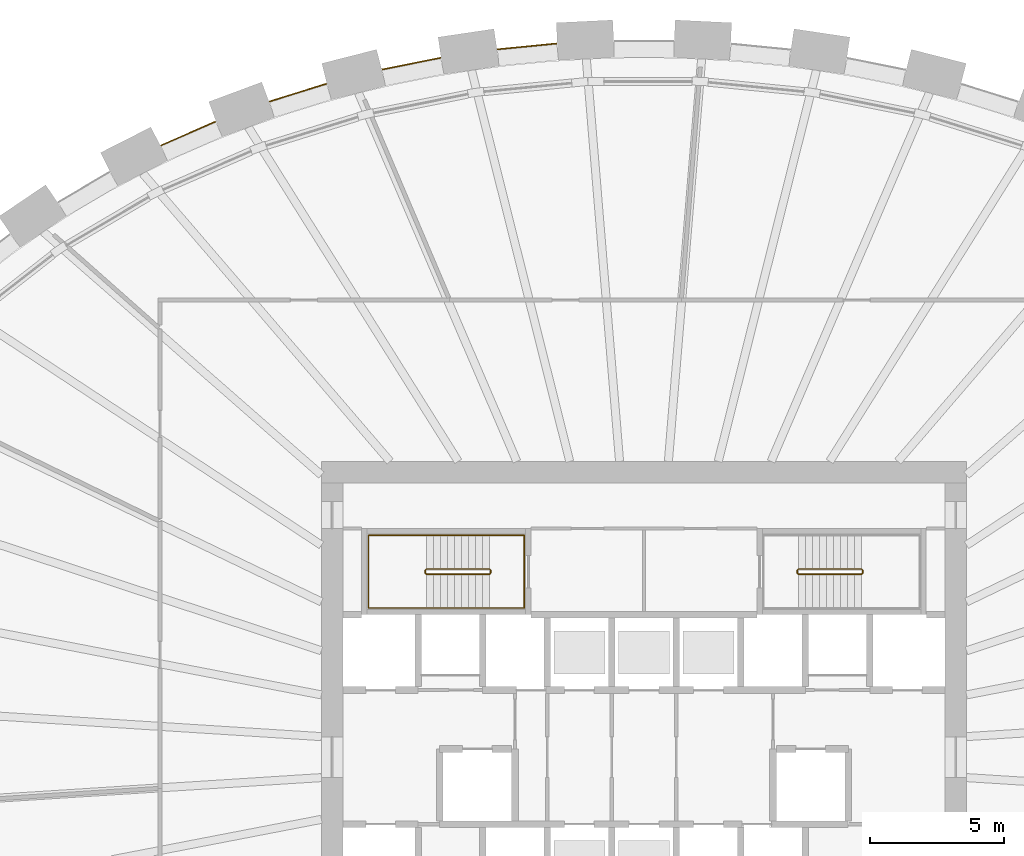
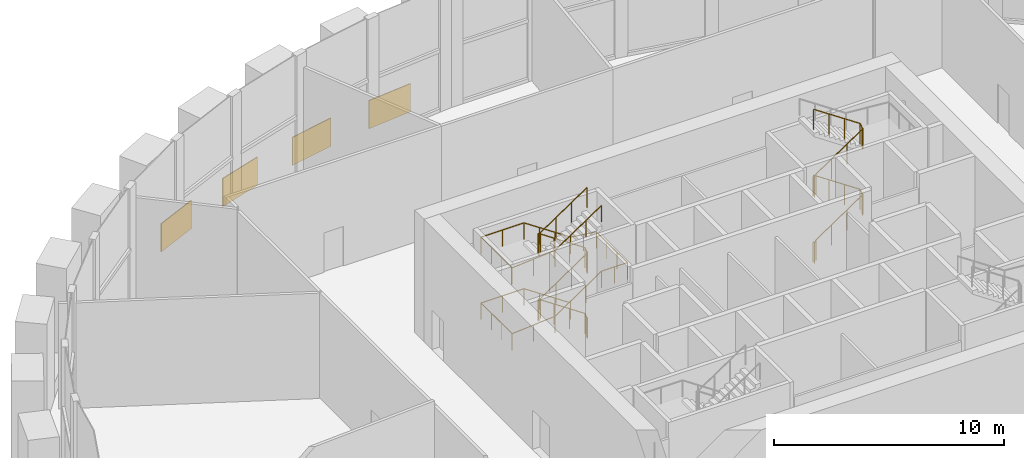
# One storey, part 14 of 16: 4 coverings, 3 railings.
"""IFC4 building model written with IfcOpenShell, lengths in metres."""

import ifcopenshell
import ifcopenshell.guid

model = None  # the IFC model being written
_history = None  # IfcOwnerHistory: only IFC2X3 demands one
_inside = {}  # id of a spatial element -> (the spatial element, [elements in it])
_under = {}  # id of a project, library or spatial element -> (it, [spatial elements below it])
_declared = {}  # id of a project -> (the project, [libraries it declares])
_typed = {}  # id of a type object -> (the type object, [elements of that type])
_made_of = {}  # id of a material, layer set ... -> (it, [elements and type objects made of it])


def new_model(schema):
    """Start an empty IFC model of exactly this schema.

    Asked for "IFC4X3", IfcOpenShell would pick the latest addendum, in which some entities
    have other attributes; the version numbers below select the first issue.
    IFC2X3 requires an IfcOwnerHistory on every rooted entity: one is made here for all.
    """
    global model, _history
    if schema == "IFC4X3":
        model = ifcopenshell.file(schema_version=(4, 3, 0, 0))
    else:
        model = ifcopenshell.file(schema=schema)
    _inside.clear()
    _under.clear()
    _declared.clear()
    _typed.clear()
    _made_of.clear()
    _history = None
    if model.schema == "IFC2X3":
        org = make("IfcOrganization", Name="unknown")
        user = make(
            "IfcPersonAndOrganization",
            ThePerson=make("IfcPerson", FamilyName="unknown"),
            TheOrganization=org,
        )
        app = make(
            "IfcApplication",
            ApplicationDeveloper=org,
            Version="unknown",
            ApplicationFullName="unknown",
            ApplicationIdentifier="unknown",
        )
        _history = make(
            "IfcOwnerHistory",
            OwningUser=user,
            OwningApplication=app,
            ChangeAction="ADDED",
            CreationDate=0,
        )
    return model


def make(cls, **values):
    """One entity of the class cls with the attributes given. An attribute that is None is left unset."""
    return model.create_entity(
        cls, **{name: value for name, value in values.items() if value is not None}
    )


def rooted(cls, **values):
    """An entity with a GlobalId (a new one), such as an element, a storey or a relation."""
    return make(cls, GlobalId=ifcopenshell.guid.new(), OwnerHistory=_history, **values)


def si_unit(unit_type, name, prefix=None):
    """IfcSIUnit, for example si_unit("LENGTHUNIT", "METRE", prefix="MILLI")."""
    return make("IfcSIUnit", UnitType=unit_type, Prefix=prefix, Name=name)


def assignment(units):
    """IfcUnitAssignment: the units of a project."""
    return None if units is None else make("IfcUnitAssignment", Units=units)


def point(xyz):
    """IfcCartesianPoint."""
    return None if xyz is None else make("IfcCartesianPoint", Coordinates=xyz)


def direction(xyz):
    """IfcDirection."""
    return None if xyz is None else make("IfcDirection", DirectionRatios=xyz)


def frame(location, z_axis=None, x_axis=None):
    """IfcAxis2Placement3D, a coordinate frame: its origin and axes. An axis left out is left unset."""
    return make(
        "IfcAxis2Placement3D",
        Location=point(location),
        Axis=direction(z_axis),
        RefDirection=direction(x_axis),
    )


def frame_2d(location, x_axis=None):
    """IfcAxis2Placement2D, a coordinate frame in the plane: its origin and x axis."""
    return make(
        "IfcAxis2Placement2D", Location=point(location), RefDirection=direction(x_axis)
    )


def origin():
    """The frame at (0, 0, 0) with its axes left unset."""
    return frame((0.0, 0.0, 0.0))


def origin_2d():
    """The frame at (0, 0) in the plane with its x axis left unset."""
    return frame_2d((0.0, 0.0))


def place(relative_to, where):
    """IfcLocalPlacement: puts the frame where relative to a parent placement (None: the world)."""
    return make(
        "IfcLocalPlacement", PlacementRelTo=relative_to, RelativePlacement=where
    )


def context(
    kind, dimensions, precision=None, world=None, true_north=None, identifier=None
):
    """IfcGeometricRepresentationContext, for example the 3D "Model" context."""
    return make(
        "IfcGeometricRepresentationContext",
        ContextIdentifier=identifier,
        ContextType=kind,
        CoordinateSpaceDimension=dimensions,
        Precision=precision,
        WorldCoordinateSystem=world,
        TrueNorth=true_north,
    )


def subcontext(parent, identifier, kind, view, scale=None):
    """IfcGeometricRepresentationSubContext, for example "Body" below "Model"."""
    return make(
        "IfcGeometricRepresentationSubContext",
        ContextIdentifier=identifier,
        ContextType=kind,
        ParentContext=parent,
        TargetScale=scale,
        TargetView=view,
    )


def project(units=None, contexts=None):
    """IfcProject with its units and contexts."""
    return rooted(
        "IfcProject",
        Name="project",
        RepresentationContexts=contexts,
        UnitsInContext=assignment(units),
    )


def spatial(cls, under=None, at=None, **own):
    """A site, building, storey or space (cls), placed at a placement, below another one or the project."""
    s = rooted(cls, ObjectPlacement=at, **own)
    if under is not None:
        _under.setdefault(under.id(), (under, []))[1].append(s)
    return s


def profile(cls, at=None, kind="AREA", **sizes):
    """A parametric profile (cls). Its sizes go by their IFC names, for example OverallWidth=200.0."""
    return make(cls, ProfileType=kind, Position=at, **sizes)


def rectangle(**sizes):
    """IfcRectangleProfileDef."""
    return profile("IfcRectangleProfileDef", **sizes)


def circle(**sizes):
    """IfcCircleProfileDef."""
    return profile("IfcCircleProfileDef", **sizes)


def extrude(swept, where, along, depth):
    """IfcExtrudedAreaSolid: the profile swept, set in the frame where, extruded along a direction by depth."""
    return make(
        "IfcExtrudedAreaSolid",
        SweptArea=swept,
        Position=where,
        ExtrudedDirection=direction(along),
        Depth=depth,
    )


def shape(context_of_items, identifier, shape_type, items):
    """IfcShapeRepresentation: the items that make up one representation, for example the "Body"."""
    return make(
        "IfcShapeRepresentation",
        ContextOfItems=context_of_items,
        RepresentationIdentifier=identifier,
        RepresentationType=shape_type,
        Items=items,
    )


def source(mapping_origin, context_of_items, identifier, shape_type, items):
    """IfcRepresentationMap: a shape defined once, which mapped items show again and again."""
    return make(
        "IfcRepresentationMap",
        MappingOrigin=mapping_origin,
        MappedRepresentation=shape(context_of_items, identifier, shape_type, items),
    )


def transform(
    local_origin,
    x_axis=None,
    y_axis=None,
    z_axis=None,
    scale=None,
    scale2=None,
    scale3=None,
    uniform=True,
):
    """IfcCartesianTransformationOperator3D, or its non-uniform kind. x_axis, y_axis, z_axis: its Axis1, 2, 3."""
    if uniform:
        return make(
            "IfcCartesianTransformationOperator3D",
            Axis1=direction(x_axis),
            Axis2=direction(y_axis),
            LocalOrigin=point(local_origin),
            Scale=scale,
            Axis3=direction(z_axis),
        )
    return make(
        "IfcCartesianTransformationOperator3DnonUniform",
        Axis1=direction(x_axis),
        Axis2=direction(y_axis),
        LocalOrigin=point(local_origin),
        Scale=scale,
        Axis3=direction(z_axis),
        Scale2=scale2,
        Scale3=scale3,
    )


def mapped(mapping_source, mapping_target):
    """IfcMappedItem: shows the shape of a source again, moved by a transform."""
    return make(
        "IfcMappedItem", MappingSource=mapping_source, MappingTarget=mapping_target
    )


def material(Name=None, Category=None):
    """IfcMaterial."""
    return make("IfcMaterial", Name=Name, Category=Category)


def layer(
    of_material, thickness, ventilated=None, Name=None, Category=None, Priority=None
):
    """IfcMaterialLayer: one layer of a wall or slab, of a material (None: an air gap)."""
    return make(
        "IfcMaterialLayer",
        Material=of_material,
        LayerThickness=thickness,
        IsVentilated=ventilated,
        Name=Name,
        Category=Category,
        Priority=Priority,
    )


def layer_set(layers, Name=None):
    """IfcMaterialLayerSet."""
    return make("IfcMaterialLayerSet", MaterialLayers=layers, LayerSetName=Name)


def made_of(thing, what):
    """Note that an element or type object is made of a material, layer set ...; save() writes the relation."""
    if what is not None:
        _made_of.setdefault(what.id(), (what, []))[1].append(thing)
    return thing


def type_object(cls, material=None, **own):
    """A type object (cls), such as IfcWallType, which elements share."""
    return made_of(rooted(cls, **own), material)


def element(
    cls,
    number,
    at=None,
    inside=None,
    cuts=None,
    type_object=None,
    material=None,
    context=None,
    identifier="Body",
    shape_type=None,
    held_by="IfcProductDefinitionShape",
    body=None,
    shapes=None,
    **own,
):
    """One element of the class cls, such as IfcWall. Its Tag is "e" and its number.

    at: its placement. inside: the storey or other place that contains it. cuts: it is an
    opening in that element (IfcRelVoidsElement). A single representation is given by context,
    identifier, shape_type and body (its items); several are given by shapes. held_by: the class
    of the entity that holds the representations. save() writes the other relations.
    """
    e = rooted(cls, Tag="e%d" % number, ObjectPlacement=at, **own)
    if body is not None:
        shapes = [shape(context, identifier, shape_type, body)]
    if shapes is not None:
        e.Representation = make(held_by, Representations=shapes)
    if inside is not None:
        _inside.setdefault(inside.id(), (inside, []))[1].append(e)
    if cuts is not None:
        rooted(
            "IfcRelVoidsElement", RelatingBuildingElement=cuts, RelatedOpeningElement=e
        )
    if type_object is not None:
        _typed.setdefault(type_object.id(), (type_object, []))[1].append(e)
    return made_of(e, material)


def aggregate(whole, parts):
    """IfcRelAggregates: a whole, such as a stair, and the parts it consists of."""
    return rooted("IfcRelAggregates", RelatingObject=whole, RelatedObjects=parts)


def save(model, path):
    """Write the relations noted so far, then the file.

    IfcRelAggregates (storeys below a building ...), IfcRelContainedInSpatialStructure (elements
    in a storey), IfcRelDefinesByType, IfcRelAssociatesMaterial and IfcRelDeclares: one each for
    every whole, place, type object, material and project.
    """
    for whole, parts in _under.values():
        aggregate(whole, parts)
    for where, things in _inside.values():
        rooted(
            "IfcRelContainedInSpatialStructure",
            RelatedElements=things,
            RelatingStructure=where,
        )
    for kind, things in _typed.values():
        rooted("IfcRelDefinesByType", RelatedObjects=things, RelatingType=kind)
    for what, things in _made_of.values():
        rooted("IfcRelAssociatesMaterial", RelatedObjects=things, RelatingMaterial=what)
    for by, libraries in _declared.values():
        rooted("IfcRelDeclares", RelatingContext=by, RelatedDefinitions=libraries)
    model.write(path)


model = new_model("IFC4")

# Units and contexts
model_context = context("Model", 3, precision=1e-05, world=origin(), true_north=direction((0.0, 1.0)))
body_context = subcontext(model_context, "Body", "Model", "MODEL_VIEW")
ifc_project = project(units=[si_unit("LENGTHUNIT", "METRE"), si_unit("AREAUNIT", "SQUARE_METRE"), si_unit("VOLUMEUNIT", "CUBIC_METRE"), si_unit("PLANEANGLEUNIT", "RADIAN"), si_unit("MASSUNIT", "GRAM", prefix="KILO")], contexts=[model_context])

# Site, building, storey
site_placement = place(None, origin())
site = spatial("IfcSite", under=ifc_project, at=site_placement, CompositionType="ELEMENT")
building_placement = place(site_placement, origin())
building = spatial("IfcBuilding", under=site, at=building_placement, Name="Embergate Tower", CompositionType="ELEMENT")
storey_placement = place(building_placement, frame((0.0, 0.0, 234.60009765625)))
storey = spatial("IfcBuildingStorey", under=building, at=storey_placement, Name="L54", CompositionType="ELEMENT", Elevation=234.60009765625)

# Coverings
ifc_material_1 = material(Name="Terracotta rainscreen on insulated backing", Category="masonry")
ifc_layer = layer(ifc_material_1, 0.0400390625)
ifc_layer_set = layer_set([ifc_layer], Name="Terracotta rainscreen on insulated backing")
covering_type = type_object("IfcCoveringType", Name="Terracotta rainscreen band", PredefinedType="CLADDING", material=ifc_layer_set)
shared_shape_1 = source(origin(), body_context, "Body", "SweptSolid", [
    extrude(rectangle(XDim=2.227294921875, YDim=0.0400390625, at=origin_2d()), origin(), (0.0, 0.0, 1.0), 1.5),
])
covering_1_placement = place(storey_placement, frame((-16.95458984375, 23.1962890625, -0.75), z_axis=(0.0, 0.0, 1.0), x_axis=(-0.916311714041, -0.400465782199, 0.0)))
element("IfcCovering", 1, at=covering_1_placement, inside=storey, type_object=covering_type, Name="Rainscreen band 15", PredefinedType="CLADDING", context=body_context, shape_type="MappedRepresentation", body=[
    mapped(shared_shape_1, transform((0.0, 0.0, 0.0))),
])
shared_shape_2 = source(origin(), body_context, "Body", "SweptSolid", [
    extrude(rectangle(XDim=2.2255859375, YDim=0.0400390625, at=origin_2d()), origin(), (0.0, 0.0, 1.0), 1.5),
])
covering_2_placement = place(storey_placement, frame((-12.87158203125, 24.719482421875, -0.75), z_axis=(0.0, 0.0, 1.0), x_axis=(-0.954743670356, -0.297429863859, 0.0)))
element("IfcCovering", 2, at=covering_2_placement, inside=storey, type_object=covering_type, Name="Rainscreen band 14", PredefinedType="CLADDING", context=body_context, shape_type="MappedRepresentation", body=[
    mapped(shared_shape_2, transform((0.0, 0.0, 0.0))),
])
shared_shape_3 = source(origin(), body_context, "Body", "SweptSolid", [
    extrude(rectangle(XDim=2.223388671875, YDim=0.0400390625, at=origin_2d()), origin(), (0.0, 0.0, 1.0), 1.5),
])
covering_3_placement = place(storey_placement, frame((-8.65185546875, 25.79736328125, -0.75), z_axis=(0.0, 0.0, 1.0), x_axis=(-0.980494092827, -0.196548553624, 0.0)))
element("IfcCovering", 3, at=covering_3_placement, inside=storey, type_object=covering_type, Name="Rainscreen band 13", PredefinedType="CLADDING", context=body_context, shape_type="MappedRepresentation", body=[
    mapped(shared_shape_3, transform((0.0, 0.0, 0.0))),
])
shared_shape_4 = source(origin(), body_context, "Body", "SweptSolid", [
    extrude(rectangle(XDim=2.2236328125, YDim=0.0400390625, at=origin_2d()), origin(), (0.0, 0.0, 1.0), 1.5),
])
covering_4_placement = place(storey_placement, frame((-4.346923828125, 26.4384765625, -0.75), z_axis=(0.0, 0.0, 1.0), x_axis=(-0.995183015799, -0.098034509565, 0.0)))
element("IfcCovering", 4, at=covering_4_placement, inside=storey, type_object=covering_type, Name="Rainscreen band 12", PredefinedType="CLADDING", context=body_context, shape_type="MappedRepresentation", body=[
    mapped(shared_shape_4, transform((0.0, 0.0, 0.0))),
])

# Railings
ifc_material_2 = material(Name="Stair guard 1100")
railing_type_1 = type_object("IfcRailingType", Name="Stair guard 1100", PredefinedType="GUARDRAIL", material=ifc_material_2)
shared_shape_5 = source(origin(), body_context, "Body", "SweptSolid", [
    extrude(circle(Radius=0.02392578125, at=origin_2d()), frame((0.0, 0.0, 1.076171875), z_axis=(0.0, 1.0, 0.0), x_axis=(-1.0, 0.0, 0.0)), (0.0, 0.0, 1.0), 0.099853515625),
    extrude(circle(Radius=0.02392578125, at=origin_2d()), frame((0.0, 0.099853515625, 1.076171875), z_axis=(-0.265383341853, 0.265383341853, 0.926899867156), x_axis=(-0.707106781187, -0.707106781187, 0.0)), (0.0, 0.0, 1.0), 0.1884765625),
    extrude(circle(Radius=0.02392578125, at=origin_2d()), frame((-0.050048828125, 0.14990234375, 1.2509765625), z_axis=(-0.829565388462, 0.0, 0.558409586474), x_axis=(0.0, -1.0, 0.0)), (0.0, 0.0, 1.0), 2.82080078125),
    extrude(circle(Radius=0.02392578125, at=origin_2d()), frame((-2.39013671875, 0.14990234375, 2.826171875), z_axis=(-0.705375805398, -0.708833529934, 0.0), x_axis=(0.708833529934, -0.705375805398, 0.0)), (0.0, 0.0, 1.0), 0.070556640625),
    extrude(circle(Radius=0.02392578125, at=origin_2d()), frame((-2.43994140625, 0.099853515625, 2.826171875), z_axis=(0.0, -1.0, 0.0), x_axis=(1.0, 0.0, 0.0)), (0.0, 0.0, 1.0), 0.099853515625),
    extrude(circle(Radius=0.02392578125, at=origin_2d()), frame((-2.43994140625, 0.0, 2.826171875), z_axis=(0.264179342666, -0.265474339444, 0.927217692888), x_axis=(0.708833529934, 0.705375805398, 0.0)), (0.0, 0.0, 1.0), 0.1884765625),
    extrude(circle(Radius=0.02392578125, at=origin_2d()), frame((-2.39013671875, -0.050048828125, 3.0009765625), z_axis=(0.829565388462, 0.0, 0.558409586474), x_axis=(0.0, 1.0, 0.0)), (0.0, 0.0, 1.0), 2.82080078125),
    extrude(circle(Radius=0.02392578125, at=origin_2d()), frame((-0.050048828125, -0.050048828125, 4.576171875), z_axis=(0.707106781187, 0.707106781187, 0.0), x_axis=(-0.707106781187, 0.707106781187, 0.0)), (0.0, 0.0, 1.0), 0.07080078125),
    extrude(circle(Radius=0.02392578125, at=origin_2d()), frame((0.0, 0.0, 4.576171875), z_axis=(0.0, 1.0, 0.0), x_axis=(-1.0, 0.0, 0.0)), (0.0, 0.0, 1.0), 0.099853515625),
    extrude(circle(Radius=0.02392578125, at=origin_2d()), frame((0.0, 0.099853515625, 4.576171875), z_axis=(-0.265383341853, 0.265383341853, 0.926899867156), x_axis=(-0.707106781187, -0.707106781187, 0.0)), (0.0, 0.0, 1.0), 0.1884765625),
    extrude(circle(Radius=0.02392578125, at=origin_2d()), frame((-0.050048828125, 0.14990234375, 4.7509765625), z_axis=(-0.829565388462, 0.0, 0.558409586474), x_axis=(0.0, -1.0, 0.0)), (0.0, 0.0, 1.0), 2.82080078125),
    extrude(circle(Radius=0.02392578125, at=origin_2d()), frame((-2.39013671875, 0.14990234375, 6.326171875), z_axis=(-0.705375805398, -0.708833529934, 0.0), x_axis=(0.708833529934, -0.705375805398, 0.0)), (0.0, 0.0, 1.0), 0.070556640625),
    extrude(circle(Radius=0.02392578125, at=origin_2d()), frame((-2.43994140625, 0.099853515625, 6.326171875), z_axis=(0.0, -1.0, 0.0), x_axis=(1.0, 0.0, 0.0)), (0.0, 0.0, 1.0), 0.099853515625),
    extrude(circle(Radius=0.02392578125, at=origin_2d()), frame((-2.43994140625, 0.0, 6.326171875), z_axis=(0.264179342666, -0.265474339444, 0.927217692888), x_axis=(0.708833529934, 0.705375805398, 0.0)), (0.0, 0.0, 1.0), 0.1884765625),
    extrude(circle(Radius=0.02392578125, at=origin_2d()), frame((-2.39013671875, -0.050048828125, 6.5009765625), z_axis=(0.829565388462, 0.0, 0.558409586474), x_axis=(0.0, 1.0, 0.0)), (0.0, 0.0, 1.0), 2.82080078125),
    extrude(circle(Radius=0.02099609375, at=origin_2d()), origin(), (0.0, 0.0, 1.0), 1.052001953125),
    extrude(circle(Radius=0.02099609375, at=origin_2d()), frame((0.0, 0.099853515625, 0.0)), (0.0, 0.0, 1.0), 1.052001953125),
    extrude(circle(Radius=0.02099609375, at=origin_2d()), frame((-0.050048828125, 0.14990234375, 0.1748046875)), (0.0, 0.0, 1.0), 1.052001953125),
    extrude(circle(Radius=0.02099609375, at=origin_2d()), frame((-0.830078125, 0.14990234375, 0.699951171875)), (0.0, 0.0, 1.0), 1.052001953125),
    extrude(circle(Radius=0.02099609375, at=origin_2d()), frame((-1.610107421875, 0.14990234375, 1.224853515625)), (0.0, 0.0, 1.0), 1.052001953125),
    extrude(circle(Radius=0.02099609375, at=origin_2d()), frame((-2.39013671875, 0.14990234375, 1.75)), (0.0, 0.0, 1.0), 1.052001953125),
    extrude(circle(Radius=0.02099609375, at=origin_2d()), frame((-2.43994140625, 0.099853515625, 1.75)), (0.0, 0.0, 1.0), 1.052001953125),
    extrude(circle(Radius=0.02099609375, at=origin_2d()), frame((-2.43994140625, 0.0, 1.75)), (0.0, 0.0, 1.0), 1.052001953125),
    extrude(circle(Radius=0.02099609375, at=origin_2d()), frame((-2.39013671875, -0.050048828125, 1.9248046875)), (0.0, 0.0, 1.0), 1.052001953125),
    extrude(circle(Radius=0.02099609375, at=origin_2d()), frame((-1.610107421875, -0.050048828125, 2.449951171875)), (0.0, 0.0, 1.0), 1.052001953125),
    extrude(circle(Radius=0.02099609375, at=origin_2d()), frame((-0.830078125, -0.050048828125, 2.974853515625)), (0.0, 0.0, 1.0), 1.052001953125),
    extrude(circle(Radius=0.02099609375, at=origin_2d()), frame((-0.050048828125, -0.050048828125, 3.5)), (0.0, 0.0, 1.0), 1.052001953125),
    extrude(circle(Radius=0.02099609375, at=origin_2d()), frame((0.0, 0.0, 3.5)), (0.0, 0.0, 1.0), 1.052001953125),
    extrude(circle(Radius=0.02099609375, at=origin_2d()), frame((0.0, 0.099853515625, 3.5)), (0.0, 0.0, 1.0), 1.052001953125),
    extrude(circle(Radius=0.02099609375, at=origin_2d()), frame((-0.050048828125, 0.14990234375, 3.6748046875)), (0.0, 0.0, 1.0), 1.052001953125),
    extrude(circle(Radius=0.02099609375, at=origin_2d()), frame((-0.830078125, 0.14990234375, 4.199951171875)), (0.0, 0.0, 1.0), 1.052001953125),
    extrude(circle(Radius=0.02099609375, at=origin_2d()), frame((-1.610107421875, 0.14990234375, 4.724853515625)), (0.0, 0.0, 1.0), 1.052001953125),
    extrude(circle(Radius=0.02099609375, at=origin_2d()), frame((-2.39013671875, 0.14990234375, 5.25)), (0.0, 0.0, 1.0), 1.052001953125),
    extrude(circle(Radius=0.02099609375, at=origin_2d()), frame((-2.43994140625, 0.099853515625, 5.25)), (0.0, 0.0, 1.0), 1.052001953125),
    extrude(circle(Radius=0.02099609375, at=origin_2d()), frame((-2.43994140625, 0.0, 5.25)), (0.0, 0.0, 1.0), 1.052001953125),
    extrude(circle(Radius=0.02099609375, at=origin_2d()), frame((-2.39013671875, -0.050048828125, 5.4248046875)), (0.0, 0.0, 1.0), 1.052001953125),
    extrude(circle(Radius=0.02099609375, at=origin_2d()), frame((-1.610107421875, -0.050048828125, 5.949951171875)), (0.0, 0.0, 1.0), 1.052001953125),
    extrude(circle(Radius=0.02099609375, at=origin_2d()), frame((-0.830078125, -0.050048828125, 6.474853515625)), (0.0, 0.0, 1.0), 1.052001953125),
    extrude(circle(Radius=0.02099609375, at=origin_2d()), frame((-0.050048828125, -0.050048828125, 7.0)), (0.0, 0.0, 1.0), 1.052001953125),
])
railing_1_placement = place(storey_placement, frame((-5.699951171875, 6.85009765625, 0.0)))
element("IfcRailing", 5, at=railing_1_placement, inside=storey, type_object=railing_type_1, Name="L54 ST1 stair guard 1", PredefinedType="GUARDRAIL", context=body_context, shape_type="MappedRepresentation", body=[
    mapped(shared_shape_5, transform((0.0, 0.0, 0.0))),
])
ifc_material_3 = material(Name="Stair handrail 900")
railing_type_2 = type_object("IfcRailingType", Name="Stair handrail 900", PredefinedType="HANDRAIL", material=ifc_material_3)
shared_shape_6 = source(origin(), body_context, "Body", "SweptSolid", [
    extrude(circle(Radius=0.02392578125, at=origin_2d()), frame((0.0, 0.0, 0.8759765625), z_axis=(-0.829565388462, 0.0, 0.558409586474), x_axis=(0.0, -1.0, 0.0)), (0.0, 0.0, 1.0), 2.82080078125),
    extrude(circle(Radius=0.02392578125, at=origin_2d()), frame((-2.340087890625, 0.0, 2.451171875), z_axis=(-1.0, 0.0, 0.0), x_axis=(0.0, -1.0, 0.0)), (0.0, 0.0, 1.0), 2.159912109375),
    extrude(circle(Radius=0.02392578125, at=origin_2d()), frame((-4.5, 0.0, 2.451171875), z_axis=(0.0, -1.0, 0.0), x_axis=(1.0, 0.0, 0.0)), (0.0, 0.0, 1.0), 2.699951171875),
    extrude(circle(Radius=0.02392578125, at=origin_2d()), frame((-4.5, -2.699951171875, 2.451171875), z_axis=(0.996741055708, 0.0, 0.080667638283), x_axis=(0.0, 1.0, 0.0)), (0.0, 0.0, 1.0), 2.1669921875),
    extrude(circle(Radius=0.02392578125, at=origin_2d()), frame((-2.340087890625, -2.699951171875, 2.6259765625), z_axis=(0.829565388462, 0.0, 0.558409586474), x_axis=(0.0, 1.0, 0.0)), (0.0, 0.0, 1.0), 2.82080078125),
    extrude(circle(Radius=0.02392578125, at=origin_2d()), frame((0.0, -2.699951171875, 4.201171875), z_axis=(1.0, 0.0, 0.0), x_axis=(0.0, 1.0, 0.0)), (0.0, 0.0, 1.0), 1.300048828125),
    extrude(circle(Radius=0.02392578125, at=origin_2d()), frame((1.300048828125, -2.699951171875, 4.201171875), z_axis=(0.0, 1.0, 0.0), x_axis=(-1.0, 0.0, 0.0)), (0.0, 0.0, 1.0), 2.699951171875),
    extrude(circle(Radius=0.02392578125, at=origin_2d()), frame((1.300048828125, 0.0, 4.201171875), z_axis=(-0.99108099941, 0.0, 0.13326084424), x_axis=(0.0, -1.0, 0.0)), (0.0, 0.0, 1.0), 1.311767578125),
    extrude(circle(Radius=0.02392578125, at=origin_2d()), frame((0.0, 0.0, 4.3759765625), z_axis=(-0.829565388462, 0.0, 0.558409586474), x_axis=(0.0, -1.0, 0.0)), (0.0, 0.0, 1.0), 2.82080078125),
    extrude(circle(Radius=0.02392578125, at=origin_2d()), frame((-2.340087890625, 0.0, 5.951171875), z_axis=(-1.0, 0.0, 0.0), x_axis=(0.0, -1.0, 0.0)), (0.0, 0.0, 1.0), 2.159912109375),
    extrude(circle(Radius=0.02392578125, at=origin_2d()), frame((-4.5, 0.0, 5.951171875), z_axis=(0.0, -1.0, 0.0), x_axis=(1.0, 0.0, 0.0)), (0.0, 0.0, 1.0), 2.699951171875),
    extrude(circle(Radius=0.02392578125, at=origin_2d()), frame((-4.5, -2.699951171875, 5.951171875), z_axis=(0.996741055708, 0.0, 0.080667638283), x_axis=(0.0, 1.0, 0.0)), (0.0, 0.0, 1.0), 2.1669921875),
    extrude(circle(Radius=0.02392578125, at=origin_2d()), frame((-2.340087890625, -2.699951171875, 6.1259765625), z_axis=(0.829565388462, 0.0, 0.558409586474), x_axis=(0.0, 1.0, 0.0)), (0.0, 0.0, 1.0), 2.82080078125),
    extrude(circle(Radius=0.02099609375, at=origin_2d()), origin(), (0.0, 0.0, 1.0), 0.851806640625),
    extrude(circle(Radius=0.02099609375, at=origin_2d()), frame((-0.780029296875, 0.0, 0.525146484375)), (0.0, 0.0, 1.0), 0.851806640625),
    extrude(circle(Radius=0.02099609375, at=origin_2d()), frame((-1.56005859375, 0.0, 1.050048828125)), (0.0, 0.0, 1.0), 0.851806640625),
    extrude(circle(Radius=0.02099609375, at=origin_2d()), frame((-2.340087890625, 0.0, 1.5751953125)), (0.0, 0.0, 1.0), 0.851806640625),
    extrude(circle(Radius=0.02099609375, at=origin_2d()), frame((-3.419921875, 0.0, 1.5751953125)), (0.0, 0.0, 1.0), 0.851806640625),
    extrude(circle(Radius=0.02099609375, at=origin_2d()), frame((-4.5, 0.0, 1.5751953125)), (0.0, 0.0, 1.0), 0.851806640625),
    extrude(circle(Radius=0.02099609375, at=origin_2d()), frame((-4.5, -0.89990234375, 1.5751953125)), (0.0, 0.0, 1.0), 0.851806640625),
    extrude(circle(Radius=0.02099609375, at=origin_2d()), frame((-4.5, -1.800048828125, 1.5751953125)), (0.0, 0.0, 1.0), 0.851806640625),
    extrude(circle(Radius=0.02099609375, at=origin_2d()), frame((-4.5, -2.699951171875, 1.5751953125)), (0.0, 0.0, 1.0), 0.851806640625),
    extrude(circle(Radius=0.02099609375, at=origin_2d()), frame((-3.419921875, -2.699951171875, 1.66259765625)), (0.0, 0.0, 1.0), 0.851806640625),
    extrude(circle(Radius=0.02099609375, at=origin_2d()), frame((-2.340087890625, -2.699951171875, 1.75)), (0.0, 0.0, 1.0), 0.851806640625),
    extrude(circle(Radius=0.02099609375, at=origin_2d()), frame((-1.56005859375, -2.699951171875, 2.275146484375)), (0.0, 0.0, 1.0), 0.851806640625),
    extrude(circle(Radius=0.02099609375, at=origin_2d()), frame((-0.780029296875, -2.699951171875, 2.800048828125)), (0.0, 0.0, 1.0), 0.851806640625),
    extrude(circle(Radius=0.02099609375, at=origin_2d()), frame((0.0, -2.699951171875, 3.3251953125)), (0.0, 0.0, 1.0), 0.851806640625),
    extrude(circle(Radius=0.02099609375, at=origin_2d()), frame((0.64990234375, -2.699951171875, 3.3251953125)), (0.0, 0.0, 1.0), 0.851806640625),
    extrude(circle(Radius=0.02099609375, at=origin_2d()), frame((1.300048828125, -2.699951171875, 3.3251953125)), (0.0, 0.0, 1.0), 0.851806640625),
    extrude(circle(Radius=0.02099609375, at=origin_2d()), frame((1.300048828125, -1.800048828125, 3.3251953125)), (0.0, 0.0, 1.0), 0.851806640625),
    extrude(circle(Radius=0.02099609375, at=origin_2d()), frame((1.300048828125, -0.89990234375, 3.3251953125)), (0.0, 0.0, 1.0), 0.851806640625),
    extrude(circle(Radius=0.02099609375, at=origin_2d()), frame((1.300048828125, 0.0, 3.3251953125)), (0.0, 0.0, 1.0), 0.851806640625),
    extrude(circle(Radius=0.02099609375, at=origin_2d()), frame((0.64990234375, 0.0, 3.41259765625)), (0.0, 0.0, 1.0), 0.851806640625),
    extrude(circle(Radius=0.02099609375, at=origin_2d()), frame((0.0, 0.0, 3.5)), (0.0, 0.0, 1.0), 0.851806640625),
    extrude(circle(Radius=0.02099609375, at=origin_2d()), frame((-0.780029296875, 0.0, 4.025146484375)), (0.0, 0.0, 1.0), 0.851806640625),
    extrude(circle(Radius=0.02099609375, at=origin_2d()), frame((-1.56005859375, 0.0, 4.550048828125)), (0.0, 0.0, 1.0), 0.851806640625),
    extrude(circle(Radius=0.02099609375, at=origin_2d()), frame((-2.340087890625, 0.0, 5.0751953125)), (0.0, 0.0, 1.0), 0.851806640625),
    extrude(circle(Radius=0.02099609375, at=origin_2d()), frame((-3.419921875, 0.0, 5.0751953125)), (0.0, 0.0, 1.0), 0.851806640625),
    extrude(circle(Radius=0.02099609375, at=origin_2d()), frame((-4.5, 0.0, 5.0751953125)), (0.0, 0.0, 1.0), 0.851806640625),
    extrude(circle(Radius=0.02099609375, at=origin_2d()), frame((-4.5, -0.89990234375, 5.0751953125)), (0.0, 0.0, 1.0), 0.851806640625),
    extrude(circle(Radius=0.02099609375, at=origin_2d()), frame((-4.5, -1.800048828125, 5.0751953125)), (0.0, 0.0, 1.0), 0.851806640625),
    extrude(circle(Radius=0.02099609375, at=origin_2d()), frame((-4.5, -2.699951171875, 5.0751953125)), (0.0, 0.0, 1.0), 0.851806640625),
    extrude(circle(Radius=0.02099609375, at=origin_2d()), frame((-3.419921875, -2.699951171875, 5.16259765625)), (0.0, 0.0, 1.0), 0.851806640625),
    extrude(circle(Radius=0.02099609375, at=origin_2d()), frame((-2.340087890625, -2.699951171875, 5.25)), (0.0, 0.0, 1.0), 0.851806640625),
    extrude(circle(Radius=0.02099609375, at=origin_2d()), frame((-1.56005859375, -2.699951171875, 5.775146484375)), (0.0, 0.0, 1.0), 0.851806640625),
    extrude(circle(Radius=0.02099609375, at=origin_2d()), frame((-0.780029296875, -2.699951171875, 6.300048828125)), (0.0, 0.0, 1.0), 0.851806640625),
    extrude(circle(Radius=0.02099609375, at=origin_2d()), frame((0.0, -2.699951171875, 6.8251953125)), (0.0, 0.0, 1.0), 0.851806640625),
])
railing_2_placement = place(storey_placement, frame((-5.75, 8.25, 0.1748046875)))
element("IfcRailing", 6, at=railing_2_placement, inside=storey, type_object=railing_type_2, Name="L54 ST1 stair handrail 1", PredefinedType="HANDRAIL", context=body_context, shape_type="MappedRepresentation", body=[
    mapped(shared_shape_6, transform((0.0, 0.0, 0.0))),
])
shared_shape_7 = source(origin(), body_context, "Body", "SweptSolid", [
    extrude(circle(Radius=0.02392578125, at=origin_2d()), frame((0.0, 0.0, 1.076171875), z_axis=(0.0, -1.0, 0.0), x_axis=(1.0, 0.0, 0.0)), (0.0, 0.0, 1.0), 0.099853515625),
    extrude(circle(Radius=0.02392578125, at=origin_2d()), frame((0.0, -0.099853515625, 1.076171875), z_axis=(0.265383341853, -0.265383341853, 0.926899867156), x_axis=(0.707106781187, 0.707106781187, 0.0)), (0.0, 0.0, 1.0), 0.1884765625),
    extrude(circle(Radius=0.02392578125, at=origin_2d()), frame((0.050048828125, -0.14990234375, 1.2509765625), z_axis=(0.829565388462, 0.0, 0.558409586474), x_axis=(0.0, 1.0, 0.0)), (0.0, 0.0, 1.0), 2.82080078125),
    extrude(circle(Radius=0.02392578125, at=origin_2d()), frame((2.39013671875, -0.14990234375, 2.826171875), z_axis=(0.705375805398, 0.708833529934, 0.0), x_axis=(-0.708833529934, 0.705375805398, 0.0)), (0.0, 0.0, 1.0), 0.070556640625),
    extrude(circle(Radius=0.02392578125, at=origin_2d()), frame((2.43994140625, -0.099853515625, 2.826171875), z_axis=(0.0, 1.0, 0.0), x_axis=(-1.0, 0.0, 0.0)), (0.0, 0.0, 1.0), 0.099853515625),
    extrude(circle(Radius=0.02392578125, at=origin_2d()), frame((2.43994140625, 0.0, 2.826171875), z_axis=(-0.264179342666, 0.265474339444, 0.927217692888), x_axis=(-0.708833529934, -0.705375805398, 0.0)), (0.0, 0.0, 1.0), 0.1884765625),
    extrude(circle(Radius=0.02392578125, at=origin_2d()), frame((2.39013671875, 0.050048828125, 3.0009765625), z_axis=(-0.829565388462, 0.0, 0.558409586474), x_axis=(0.0, -1.0, 0.0)), (0.0, 0.0, 1.0), 2.82080078125),
    extrude(circle(Radius=0.02392578125, at=origin_2d()), frame((0.050048828125, 0.050048828125, 4.576171875), z_axis=(-0.707106781187, -0.707106781187, 0.0), x_axis=(0.707106781187, -0.707106781187, 0.0)), (0.0, 0.0, 1.0), 0.07080078125),
    extrude(circle(Radius=0.02392578125, at=origin_2d()), frame((0.0, 0.0, 4.576171875), z_axis=(0.0, -1.0, 0.0), x_axis=(1.0, 0.0, 0.0)), (0.0, 0.0, 1.0), 0.099853515625),
    extrude(circle(Radius=0.02392578125, at=origin_2d()), frame((0.0, -0.099853515625, 4.576171875), z_axis=(0.265383341853, -0.265383341853, 0.926899867156), x_axis=(0.707106781187, 0.707106781187, 0.0)), (0.0, 0.0, 1.0), 0.1884765625),
    extrude(circle(Radius=0.02392578125, at=origin_2d()), frame((0.050048828125, -0.14990234375, 4.7509765625), z_axis=(0.829565388462, 0.0, 0.558409586474), x_axis=(0.0, 1.0, 0.0)), (0.0, 0.0, 1.0), 2.82080078125),
    extrude(circle(Radius=0.02392578125, at=origin_2d()), frame((2.39013671875, -0.14990234375, 6.326171875), z_axis=(0.705375805398, 0.708833529934, 0.0), x_axis=(-0.708833529934, 0.705375805398, 0.0)), (0.0, 0.0, 1.0), 0.070556640625),
    extrude(circle(Radius=0.02392578125, at=origin_2d()), frame((2.43994140625, -0.099853515625, 6.326171875), z_axis=(0.0, 1.0, 0.0), x_axis=(-1.0, 0.0, 0.0)), (0.0, 0.0, 1.0), 0.099853515625),
    extrude(circle(Radius=0.02392578125, at=origin_2d()), frame((2.43994140625, 0.0, 6.326171875), z_axis=(-0.264179342666, 0.265474339444, 0.927217692888), x_axis=(-0.708833529934, -0.705375805398, 0.0)), (0.0, 0.0, 1.0), 0.1884765625),
    extrude(circle(Radius=0.02392578125, at=origin_2d()), frame((2.39013671875, 0.050048828125, 6.5009765625), z_axis=(-0.829565388462, 0.0, 0.558409586474), x_axis=(0.0, -1.0, 0.0)), (0.0, 0.0, 1.0), 2.82080078125),
    extrude(circle(Radius=0.02099609375, at=origin_2d()), origin(), (0.0, 0.0, 1.0), 1.052001953125),
    extrude(circle(Radius=0.02099609375, at=origin_2d()), frame((0.0, -0.099853515625, 0.0)), (0.0, 0.0, 1.0), 1.052001953125),
    extrude(circle(Radius=0.02099609375, at=origin_2d()), frame((0.050048828125, -0.14990234375, 0.1748046875)), (0.0, 0.0, 1.0), 1.052001953125),
    extrude(circle(Radius=0.02099609375, at=origin_2d()), frame((0.830078125, -0.14990234375, 0.699951171875)), (0.0, 0.0, 1.0), 1.052001953125),
    extrude(circle(Radius=0.02099609375, at=origin_2d()), frame((1.610107421875, -0.14990234375, 1.224853515625)), (0.0, 0.0, 1.0), 1.052001953125),
    extrude(circle(Radius=0.02099609375, at=origin_2d()), frame((2.39013671875, -0.14990234375, 1.75)), (0.0, 0.0, 1.0), 1.052001953125),
    extrude(circle(Radius=0.02099609375, at=origin_2d()), frame((2.43994140625, -0.099853515625, 1.75)), (0.0, 0.0, 1.0), 1.052001953125),
    extrude(circle(Radius=0.02099609375, at=origin_2d()), frame((2.43994140625, 0.0, 1.75)), (0.0, 0.0, 1.0), 1.052001953125),
    extrude(circle(Radius=0.02099609375, at=origin_2d()), frame((2.39013671875, 0.050048828125, 1.9248046875)), (0.0, 0.0, 1.0), 1.052001953125),
    extrude(circle(Radius=0.02099609375, at=origin_2d()), frame((1.610107421875, 0.050048828125, 2.449951171875)), (0.0, 0.0, 1.0), 1.052001953125),
    extrude(circle(Radius=0.02099609375, at=origin_2d()), frame((0.830078125, 0.050048828125, 2.974853515625)), (0.0, 0.0, 1.0), 1.052001953125),
    extrude(circle(Radius=0.02099609375, at=origin_2d()), frame((0.050048828125, 0.050048828125, 3.5)), (0.0, 0.0, 1.0), 1.052001953125),
    extrude(circle(Radius=0.02099609375, at=origin_2d()), frame((0.0, 0.0, 3.5)), (0.0, 0.0, 1.0), 1.052001953125),
    extrude(circle(Radius=0.02099609375, at=origin_2d()), frame((0.0, -0.099853515625, 3.5)), (0.0, 0.0, 1.0), 1.052001953125),
    extrude(circle(Radius=0.02099609375, at=origin_2d()), frame((0.050048828125, -0.14990234375, 3.6748046875)), (0.0, 0.0, 1.0), 1.052001953125),
    extrude(circle(Radius=0.02099609375, at=origin_2d()), frame((0.830078125, -0.14990234375, 4.199951171875)), (0.0, 0.0, 1.0), 1.052001953125),
    extrude(circle(Radius=0.02099609375, at=origin_2d()), frame((1.610107421875, -0.14990234375, 4.724853515625)), (0.0, 0.0, 1.0), 1.052001953125),
    extrude(circle(Radius=0.02099609375, at=origin_2d()), frame((2.39013671875, -0.14990234375, 5.25)), (0.0, 0.0, 1.0), 1.052001953125),
    extrude(circle(Radius=0.02099609375, at=origin_2d()), frame((2.43994140625, -0.099853515625, 5.25)), (0.0, 0.0, 1.0), 1.052001953125),
    extrude(circle(Radius=0.02099609375, at=origin_2d()), frame((2.43994140625, 0.0, 5.25)), (0.0, 0.0, 1.0), 1.052001953125),
    extrude(circle(Radius=0.02099609375, at=origin_2d()), frame((2.39013671875, 0.050048828125, 5.4248046875)), (0.0, 0.0, 1.0), 1.052001953125),
    extrude(circle(Radius=0.02099609375, at=origin_2d()), frame((1.610107421875, 0.050048828125, 5.949951171875)), (0.0, 0.0, 1.0), 1.052001953125),
    extrude(circle(Radius=0.02099609375, at=origin_2d()), frame((0.830078125, 0.050048828125, 6.474853515625)), (0.0, 0.0, 1.0), 1.052001953125),
    extrude(circle(Radius=0.02099609375, at=origin_2d()), frame((0.050048828125, 0.050048828125, 7.0)), (0.0, 0.0, 1.0), 1.052001953125),
])
railing_3_placement = place(storey_placement, frame((5.699951171875, 6.949951171875, 0.0)))
element("IfcRailing", 7, at=railing_3_placement, inside=storey, type_object=railing_type_1, Name="L54 ST2 stair guard 1", PredefinedType="GUARDRAIL", context=body_context, shape_type="MappedRepresentation", body=[
    mapped(shared_shape_7, transform((0.0, 0.0, 0.0))),
])

save(model, "model.ifc")
